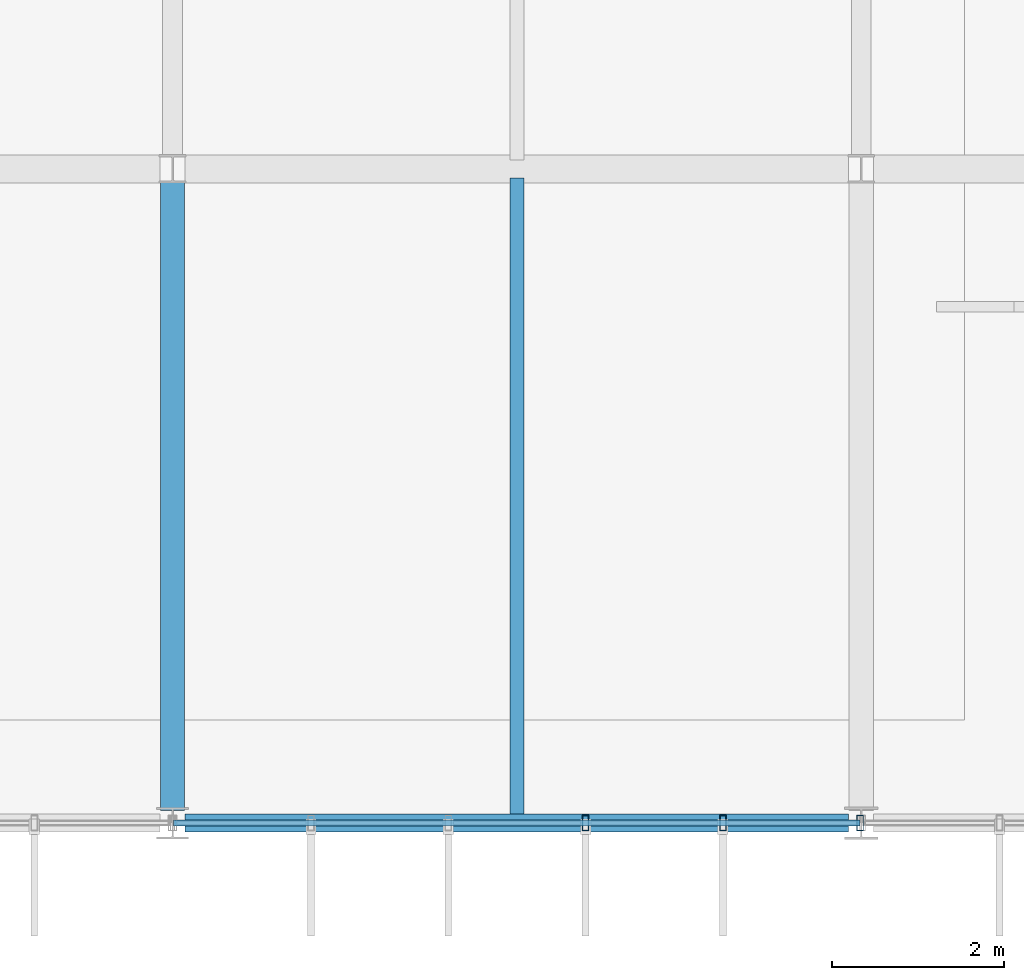
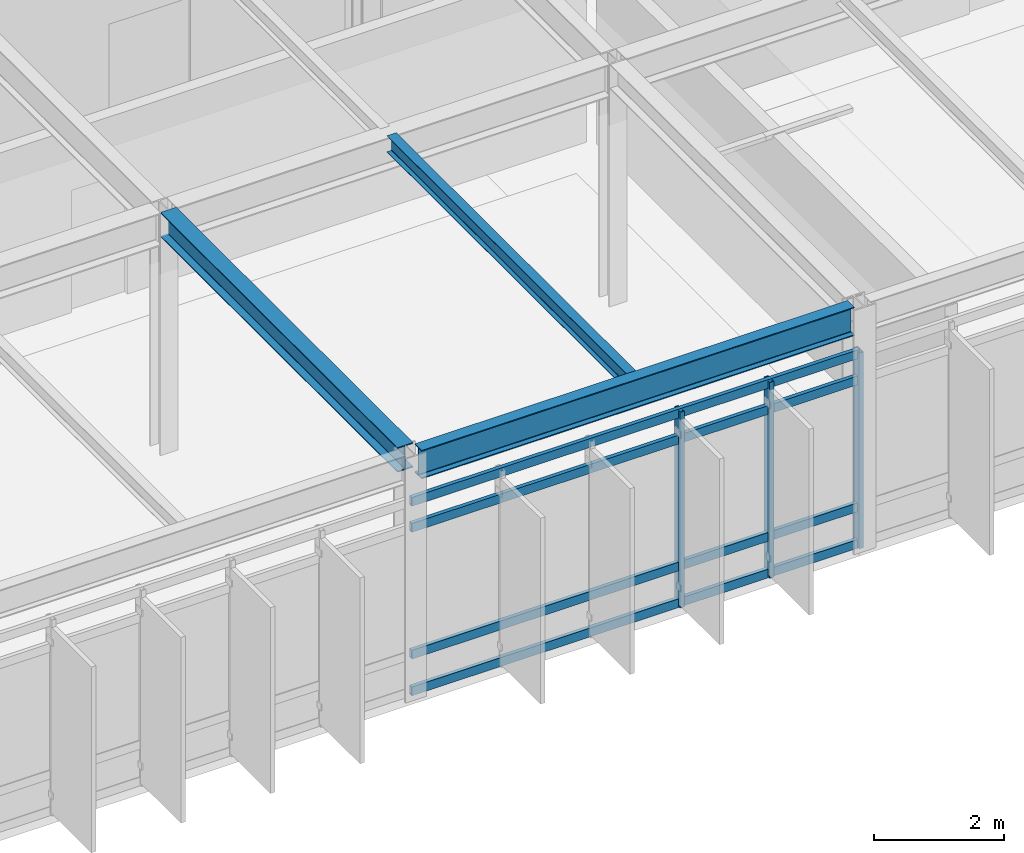
# One storey, part 23 of 100: 7 members, 3 beams, 1 element without a shape of its own.
"""IFC4 building model written with IfcOpenShell, lengths in metres."""

from ifc_helpers import new_model, si_unit, direction, frame, origin, origin_2d, place, context, subcontext, project, spatial, hollow_rectangle, i_section, extrude, material, material_profile, profile_set, type_object, element, aggregate, save


model = new_model("IFC4")

# Units and contexts
model_context = context("Model", 3, precision=1e-05, world=origin(), true_north=direction((0.0, 1.0)))
body_context = subcontext(model_context, "Body", "Model", "MODEL_VIEW")
ifc_project = project(units=[si_unit("LENGTHUNIT", "METRE"), si_unit("AREAUNIT", "SQUARE_METRE"), si_unit("VOLUMEUNIT", "CUBIC_METRE"), si_unit("PLANEANGLEUNIT", "RADIAN"), si_unit("MASSUNIT", "GRAM", prefix="KILO")], contexts=[model_context])

# Site, building, storey
site_placement = place(None, origin())
site = spatial("IfcSite", under=ifc_project, at=site_placement, CompositionType="ELEMENT")
building_placement = place(site_placement, origin())
building = spatial("IfcBuilding", under=site, at=building_placement, Name="Zulena Civic Courthouse", CompositionType="ELEMENT")
storey_placement = place(building_placement, frame((0.0, 0.0, 20.39990234375)))
storey = spatial("IfcBuildingStorey", under=building, at=storey_placement, Name="L04", CompositionType="ELEMENT", Elevation=20.39990234375)

# Curtain wall, members
ifc_material_1 = material(Name="Double-silver low-E laminated solar-control glass", Category="glass")
curtain_wall_type = type_object("IfcCurtainWallType", Name="CW_7976x3690", PredefinedType="USERDEFINED", material=ifc_material_1)
curtain_wall_placement = place(storey_placement, origin())
curtain_wall = element("IfcCurtainWall", 1, at=curtain_wall_placement, inside=storey, type_object=curtain_wall_type, Name="cw:V2:L04:3:4", ObjectType="UNITISED CURTAIN WALL", PredefinedType="USERDEFINED")
ifc_material_2 = material(Name="Bronze anodised thermally broken aluminium AA6063-T6", Category="aluminium")
ifc_material_profile_1 = material_profile(ifc_material_2, hollow_rectangle(XDim=0.074951171875, YDim=0.179931640625, WallThickness=0.0048828125, at=origin_2d()), Name="CWM180X75X5")
ifc_profile_set_1 = profile_set([ifc_material_profile_1], Name="Bronze anodised thermally broken aluminium AA6063-T6")
member_type_1 = type_object("IfcMemberType", Name="CWMullion_180x75", PredefinedType="MULLION", material=ifc_profile_set_1)
member_1_placement = place(storey_placement, frame((35.988037109375, 0.0, 0.0), z_axis=(0.0, 0.0, 1.0), x_axis=(1.0, 0.0, 0.0)))
member_1 = element("IfcMember", 2, at=member_1_placement, type_object=member_type_1, Name="cw:V2:L04:3:4:mull:0", PredefinedType="MULLION", context=body_context, shape_type="SweptSolid", body=[
    extrude(hollow_rectangle(XDim=0.074951171875, YDim=0.179931640625, WallThickness=0.0048828125, at=origin_2d()), origin(), (0.0, 0.0, 1.0), 3.690185546875),
])
member_2_placement = place(storey_placement, frame((34.392822265625, 0.0, 0.0), z_axis=(0.0, 0.0, 1.0), x_axis=(1.0, 0.0, 0.0)))
member_2 = element("IfcMember", 3, at=member_2_placement, type_object=member_type_1, Name="cw:V2:L04:3:4:mull:1", PredefinedType="MULLION", context=body_context, shape_type="SweptSolid", body=[
    extrude(hollow_rectangle(XDim=0.074951171875, YDim=0.179931640625, WallThickness=0.0048828125, at=origin_2d()), origin(), (0.0, 0.0, 1.0), 3.690185546875),
])
member_3_placement = place(storey_placement, frame((32.797607421875, 0.0, 0.0), z_axis=(0.0, 0.0, 1.0), x_axis=(1.0, 0.0, 0.0)))
member_3 = element("IfcMember", 4, at=member_3_placement, type_object=member_type_1, Name="cw:V2:L04:3:4:mull:2", PredefinedType="MULLION", context=body_context, shape_type="SweptSolid", body=[
    extrude(hollow_rectangle(XDim=0.074951171875, YDim=0.179931640625, WallThickness=0.0048828125, at=origin_2d()), origin(), (0.0, 0.0, 1.0), 3.690185546875),
])
ifc_material_profile_2 = material_profile(ifc_material_2, hollow_rectangle(XDim=0.070068359375, YDim=0.1650390625, WallThickness=0.00390625, at=origin_2d()), Name="CWT165X70X4")
ifc_profile_set_2 = profile_set([ifc_material_profile_2], Name="Bronze anodised thermally broken aluminium AA6063-T6")
member_type_2 = type_object("IfcMemberType", Name="CWTransom_165x70", PredefinedType="USERDEFINED", material=ifc_profile_set_2)
member_4_placement = place(storey_placement, frame((35.988037109375, 0.0, 0.06005859375), z_axis=(-1.0, 0.0, 0.0), x_axis=(0.0, -1.0, 0.0)))
member_4 = element("IfcMember", 5, at=member_4_placement, type_object=member_type_2, Name="cw:V2:L04:3:4:tran:0", ObjectType="TRANSOM", PredefinedType="USERDEFINED", context=body_context, shape_type="SweptSolid", body=[
    extrude(hollow_rectangle(XDim=0.070068359375, YDim=0.1650390625, WallThickness=0.00390625, at=origin_2d()), origin(), (0.0, 0.0, 1.0), 7.97607421875),
])
member_5_placement = place(storey_placement, frame((35.988037109375, 0.0, 0.75), z_axis=(-1.0, 0.0, 0.0), x_axis=(0.0, -1.0, 0.0)))
member_5 = element("IfcMember", 6, at=member_5_placement, type_object=member_type_2, Name="cw:V2:L04:3:4:tran:1", ObjectType="TRANSOM", PredefinedType="USERDEFINED", context=body_context, shape_type="SweptSolid", body=[
    extrude(hollow_rectangle(XDim=0.070068359375, YDim=0.1650390625, WallThickness=0.00390625, at=origin_2d()), origin(), (0.0, 0.0, 1.0), 7.97607421875),
])
member_6_placement = place(storey_placement, frame((35.988037109375, 0.0, 3.14013671875), z_axis=(-1.0, 0.0, 0.0), x_axis=(0.0, -1.0, 0.0)))
member_6 = element("IfcMember", 7, at=member_6_placement, type_object=member_type_2, Name="cw:V2:L04:3:4:tran:2", ObjectType="TRANSOM", PredefinedType="USERDEFINED", context=body_context, shape_type="SweptSolid", body=[
    extrude(hollow_rectangle(XDim=0.070068359375, YDim=0.1650390625, WallThickness=0.00390625, at=origin_2d()), origin(), (0.0, 0.0, 1.0), 7.97607421875),
])
member_7_placement = place(storey_placement, frame((35.988037109375, 0.0, 3.630126953125), z_axis=(-1.0, 0.0, 0.0), x_axis=(0.0, -1.0, 0.0)))
member_7 = element("IfcMember", 8, at=member_7_placement, type_object=member_type_2, Name="cw:V2:L04:3:4:tran:3", ObjectType="TRANSOM", PredefinedType="USERDEFINED", context=body_context, shape_type="SweptSolid", body=[
    extrude(hollow_rectangle(XDim=0.070068359375, YDim=0.1650390625, WallThickness=0.00390625, at=origin_2d()), origin(), (0.0, 0.0, 1.0), 7.97607421875),
])
aggregate(curtain_wall, [member_1, member_2, member_3, member_4, member_5, member_6, member_7])

# Beams
ifc_material_3 = material(Name="Steel ASTM A992 Grade 50", Category="steel")
ifc_material_profile_3 = material_profile(ifc_material_3, i_section(OverallWidth=0.1650390625, OverallDepth=0.31005859375, WebThickness=0.005859375, FlangeThickness=0.009765625, FilletRadius=0.009765625, at=origin_2d()), Name="W12X26")
ifc_profile_set_3 = profile_set([ifc_material_profile_3], Name="Steel ASTM A992 Grade 50")
beam_type_1 = type_object("IfcBeamType", Name="Joist_W12X26", PredefinedType="JOIST", material=ifc_profile_set_3)
beam_1_placement = place(storey_placement, frame((32.0, 0.10498046875, 4.440185546875), z_axis=(0.0, 1.0, 0.0), x_axis=(-1.0, 0.0, 0.0)))
element("IfcBeam", 9, at=beam_1_placement, inside=storey, type_object=beam_type_1, Name="joist:V2:L04:32.00:0.0_7.6", PredefinedType="JOIST", context=body_context, shape_type="SweptSolid", body=[
    extrude(i_section(OverallWidth=0.1650390625, OverallDepth=0.31005859375, WebThickness=0.005859375, FlangeThickness=0.009765625, FilletRadius=0.009765625, at=origin_2d()), origin(), (0.0, 0.0, 1.0), 7.39013671875),
])
ifc_material_profile_4 = material_profile(ifc_material_3, i_section(OverallWidth=0.280029296875, OverallDepth=0.462890625, WebThickness=0.0107421875, FlangeThickness=0.017333984375, FilletRadius=0.01025390625, at=origin_2d()), Name="W18X76")
ifc_profile_set_4 = profile_set([ifc_material_profile_4], Name="Steel ASTM A992 Grade 50")
beam_type_2 = type_object("IfcBeamType", Name="Spandrel_W18X76", PredefinedType="SPANDREL", material=ifc_profile_set_4)
beam_2_placement = place(storey_placement, frame((28.0, 0.14501953125, 4.363525390625), z_axis=(0.0, 1.0, 0.0), x_axis=(-1.0, 0.0, 0.0)))
element("IfcBeam", 10, at=beam_2_placement, inside=storey, type_object=beam_type_2, Name="beam:Y:V2:L04:28.0:0.0_7.6", PredefinedType="SPANDREL", context=body_context, shape_type="SweptSolid", body=[
    extrude(i_section(OverallWidth=0.280029296875, OverallDepth=0.462890625, WebThickness=0.0107421875, FlangeThickness=0.017333984375, FilletRadius=0.01025390625, at=origin_2d()), origin(), (0.0, 0.0, 1.0), 7.31005859375),
])
ifc_material_profile_5 = material_profile(ifc_material_3, i_section(OverallWidth=0.2099609375, OverallDepth=0.537109375, WebThickness=0.010986328125, FlangeThickness=0.017333984375, FilletRadius=0.0126953125, at=origin_2d()), Name="W21X68")
ifc_profile_set_5 = profile_set([ifc_material_profile_5], Name="Steel ASTM A992 Grade 50")
beam_type_3 = type_object("IfcBeamType", Name="Spandrel_W21X68", PredefinedType="SPANDREL", material=ifc_profile_set_5)
beam_3_placement = place(storey_placement, frame((28.14501953125, 0.0, 4.32666015625), z_axis=(1.0, 0.0, 0.0), x_axis=(0.0, 1.0, 0.0)))
element("IfcBeam", 11, at=beam_3_placement, inside=storey, type_object=beam_type_3, Name="beam:X:V2:L04:0.0:28.0_36.0", PredefinedType="SPANDREL", context=body_context, shape_type="SweptSolid", body=[
    extrude(i_section(OverallWidth=0.2099609375, OverallDepth=0.537109375, WebThickness=0.010986328125, FlangeThickness=0.017333984375, FilletRadius=0.0126953125, at=origin_2d()), origin(), (0.0, 0.0, 1.0), 7.7099609375),
])

save(model, "model.ifc")
